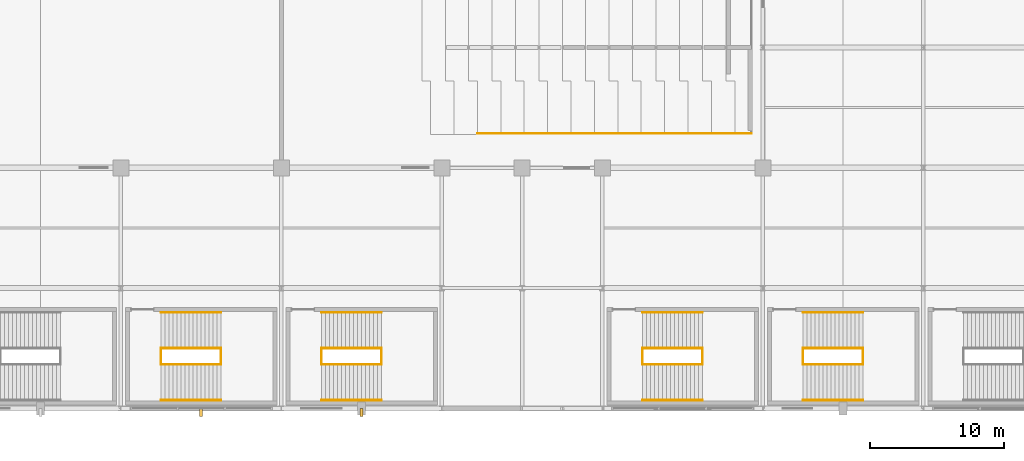
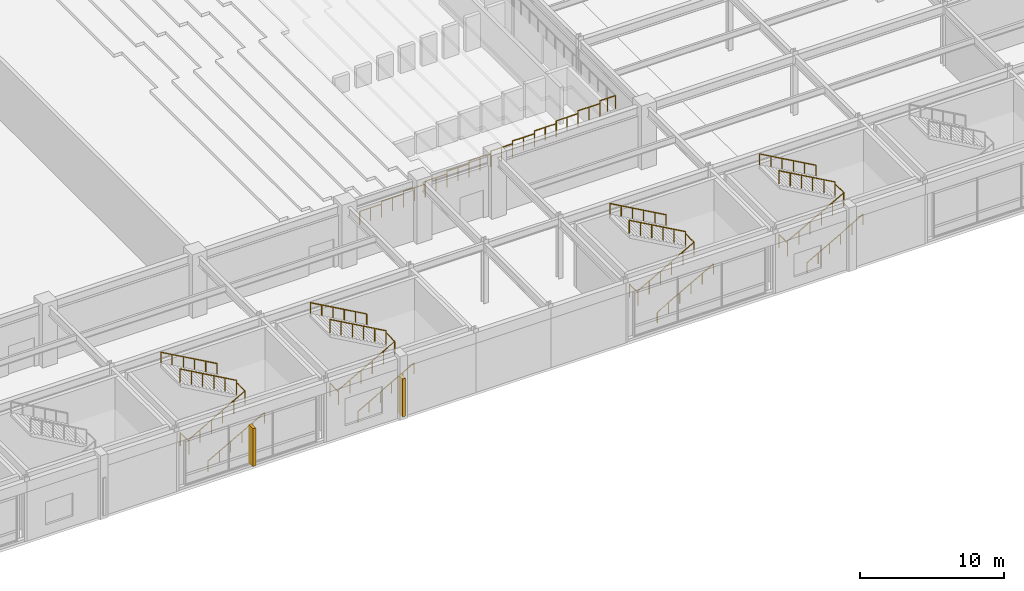
# One storey, part 93 of 100: 36 railings, 2 shading devices.
"""IFC4 building model written with IfcOpenShell, lengths in metres."""

from ifc_helpers import new_model, si_unit, direction, frame, origin, origin_2d, place, context, subcontext, project, spatial, rectangle, circle, extrude, material, type_object, element, save


model = new_model("IFC4")

# Units and contexts
model_context = context("Model", 3, precision=1e-05, world=origin(), true_north=direction((0.0, 1.0)))
body_context = subcontext(model_context, "Body", "Model", "MODEL_VIEW")
ifc_project = project(units=[si_unit("LENGTHUNIT", "METRE"), si_unit("AREAUNIT", "SQUARE_METRE"), si_unit("VOLUMEUNIT", "CUBIC_METRE"), si_unit("PLANEANGLEUNIT", "RADIAN"), si_unit("MASSUNIT", "GRAM", prefix="KILO")], contexts=[model_context])

# Site, building, storey
site_placement = place(None, origin())
site = spatial("IfcSite", under=ifc_project, at=site_placement, CompositionType="ELEMENT")
building_placement = place(site_placement, origin())
building = spatial("IfcBuilding", under=site, at=building_placement, Name="Kaldorvane Square Convention Centre", CompositionType="ELEMENT")
storey_placement = place(building_placement, frame((0.0, 0.0, 18.0)))
storey = spatial("IfcBuildingStorey", under=building, at=storey_placement, Name="L03", CompositionType="ELEMENT", Elevation=18.0)

# Railings
ifc_material_1 = material(Name="Architectural Painted Steel", Category="steel")
railing_type_1 = type_object("IfcRailingType", Name="RL-GUARD-1120", PredefinedType="BALUSTRADE", material=ifc_material_1)
for number, where, name in (
    (1, (68.99000549316406, 3.30999755859375, 0.0), "Convention Exit Stair C6 Floor Well Guard (L03)"),
    (2, (73.49000549316406, 3.30999755859375, 2.6999969482421875), "Convention Exit Stair C6 Half-Landing Guard (L03)"),
):
    element("IfcRailing", number, at=place(storey_placement, frame(where)), inside=storey, type_object=railing_type_1, Name=name, PredefinedType="BALUSTRADE", context=body_context, shape_type="SweptSolid", body=[
        extrude(circle(Radius=0.0240020751953125, at=origin_2d()), frame((0.0, 0.0, 1.0959930419921875), z_axis=(0.0, 1.0, 0.0), x_axis=(-1.0, 0.0, 0.0)), (0.0, 0.0, 1.0), 1.19000244140625),
        extrude(circle(Radius=0.02099609375, at=origin_2d()), origin(), (0.0, 0.0, 1.0), 1.071990966796875),
        extrude(circle(Radius=0.02099609375, at=origin_2d()), frame((0.0, 1.19000244140625, 0.0)), (0.0, 0.0, 1.0), 1.071990966796875),
    ])
railing_1_placement = place(storey_placement, frame((68.99000549316406, 3.3000030517578125, 0.1687469482421875)))
element("IfcRailing", 3, at=railing_1_placement, inside=storey, type_object=railing_type_1, Name="Convention Exit Stair C6 Flight 1 Guard (L03)", PredefinedType="BALUSTRADE", context=body_context, shape_type="SweptSolid", body=[
    extrude(circle(Radius=0.0240020751953125, at=origin_2d()), frame((0.0, 0.0, 1.0959930419921875), z_axis=(0.871575537125, 0.0, 0.490261239633), x_axis=(0.0, 1.0, 0.0)), (0.0, 0.0, 1.0), 5.1630706787109375),
    extrude(circle(Radius=0.02099609375, at=origin_2d()), origin(), (0.0, 0.0, 1.0), 1.071990966796875),
    extrude(circle(Radius=0.02099609375, at=origin_2d()), frame((0.899993896484375, 0.0, 0.506256103515625)), (0.0, 0.0, 1.0), 1.071990966796875),
    extrude(circle(Radius=0.02099609375, at=origin_2d()), frame((1.8000030517578125, 0.0, 1.0124969482421875)), (0.0, 0.0, 1.0), 1.071990966796875),
    extrude(circle(Radius=0.02099609375, at=origin_2d()), frame((2.6999969482421875, 0.0, 1.5187530517578125)), (0.0, 0.0, 1.0), 1.071990966796875),
    extrude(circle(Radius=0.02099609375, at=origin_2d()), frame((3.600006103515625, 0.0, 2.024993896484375)), (0.0, 0.0, 1.0), 1.071990966796875),
    extrude(circle(Radius=0.02099609375, at=origin_2d()), frame((4.5, 0.0, 2.53125)), (0.0, 0.0, 1.0), 1.071990966796875),
])
railing_2_placement = place(storey_placement, frame((73.49000549316406, 4.5099945068359375, 2.868743896484375)))
element("IfcRailing", 4, at=railing_2_placement, inside=storey, type_object=railing_type_1, Name="Convention Exit Stair C6 Flight 2 Guard (L03)", PredefinedType="BALUSTRADE", context=body_context, shape_type="SweptSolid", body=[
    extrude(circle(Radius=0.0240020751953125, at=origin_2d()), frame((0.0, 0.0, 1.0959930419921875), z_axis=(-0.871575537125, 0.0, 0.490261239633), x_axis=(0.0, -1.0, 0.0)), (0.0, 0.0, 1.0), 5.1630706787109375),
    extrude(circle(Radius=0.02099609375, at=origin_2d()), origin(), (0.0, 0.0, 1.0), 1.071990966796875),
    extrude(circle(Radius=0.02099609375, at=origin_2d()), frame((-0.899993896484375, 0.0, 0.506256103515625)), (0.0, 0.0, 1.0), 1.071990966796875),
    extrude(circle(Radius=0.02099609375, at=origin_2d()), frame((-1.8000030517578125, 0.0, 1.0124969482421875)), (0.0, 0.0, 1.0), 1.071990966796875),
    extrude(circle(Radius=0.02099609375, at=origin_2d()), frame((-2.6999969482421875, 0.0, 1.5187530517578125)), (0.0, 0.0, 1.0), 1.071990966796875),
    extrude(circle(Radius=0.02099609375, at=origin_2d()), frame((-3.600006103515625, 0.0, 2.024993896484375)), (0.0, 0.0, 1.0), 1.071990966796875),
    extrude(circle(Radius=0.02099609375, at=origin_2d()), frame((-4.5, 0.0, 2.53125)), (0.0, 0.0, 1.0), 1.071990966796875),
])
for number, where, name in (
    (5, (80.99000549316406, 3.30999755859375, 0.0), "Convention Exit Stair C7 Floor Well Guard (L03)"),
    (6, (85.49000549316406, 3.30999755859375, 2.6999969482421875), "Convention Exit Stair C7 Half-Landing Guard (L03)"),
):
    element("IfcRailing", number, at=place(storey_placement, frame(where)), inside=storey, type_object=railing_type_1, Name=name, PredefinedType="BALUSTRADE", context=body_context, shape_type="SweptSolid", body=[
        extrude(circle(Radius=0.0240020751953125, at=origin_2d()), frame((0.0, 0.0, 1.0959930419921875), z_axis=(0.0, 1.0, 0.0), x_axis=(-1.0, 0.0, 0.0)), (0.0, 0.0, 1.0), 1.19000244140625),
        extrude(circle(Radius=0.02099609375, at=origin_2d()), origin(), (0.0, 0.0, 1.0), 1.071990966796875),
        extrude(circle(Radius=0.02099609375, at=origin_2d()), frame((0.0, 1.19000244140625, 0.0)), (0.0, 0.0, 1.0), 1.071990966796875),
    ])
railing_3_placement = place(storey_placement, frame((80.99000549316406, 3.3000030517578125, 0.1687469482421875)))
element("IfcRailing", 7, at=railing_3_placement, inside=storey, type_object=railing_type_1, Name="Convention Exit Stair C7 Flight 1 Guard (L03)", PredefinedType="BALUSTRADE", context=body_context, shape_type="SweptSolid", body=[
    extrude(circle(Radius=0.0240020751953125, at=origin_2d()), frame((0.0, 0.0, 1.0959930419921875), z_axis=(0.871575537125, 0.0, 0.490261239633), x_axis=(0.0, 1.0, 0.0)), (0.0, 0.0, 1.0), 5.1630706787109375),
    extrude(circle(Radius=0.02099609375, at=origin_2d()), origin(), (0.0, 0.0, 1.0), 1.071990966796875),
    extrude(circle(Radius=0.02099609375, at=origin_2d()), frame((0.899993896484375, 0.0, 0.506256103515625)), (0.0, 0.0, 1.0), 1.071990966796875),
    extrude(circle(Radius=0.02099609375, at=origin_2d()), frame((1.8000030517578125, 0.0, 1.0124969482421875)), (0.0, 0.0, 1.0), 1.071990966796875),
    extrude(circle(Radius=0.02099609375, at=origin_2d()), frame((2.6999969482421875, 0.0, 1.5187530517578125)), (0.0, 0.0, 1.0), 1.071990966796875),
    extrude(circle(Radius=0.02099609375, at=origin_2d()), frame((3.600006103515625, 0.0, 2.024993896484375)), (0.0, 0.0, 1.0), 1.071990966796875),
    extrude(circle(Radius=0.02099609375, at=origin_2d()), frame((4.5, 0.0, 2.53125)), (0.0, 0.0, 1.0), 1.071990966796875),
])
railing_4_placement = place(storey_placement, frame((85.49000549316406, 4.5099945068359375, 2.868743896484375)))
element("IfcRailing", 8, at=railing_4_placement, inside=storey, type_object=railing_type_1, Name="Convention Exit Stair C7 Flight 2 Guard (L03)", PredefinedType="BALUSTRADE", context=body_context, shape_type="SweptSolid", body=[
    extrude(circle(Radius=0.0240020751953125, at=origin_2d()), frame((0.0, 0.0, 1.0959930419921875), z_axis=(-0.871575537125, 0.0, 0.490261239633), x_axis=(0.0, -1.0, 0.0)), (0.0, 0.0, 1.0), 5.1630706787109375),
    extrude(circle(Radius=0.02099609375, at=origin_2d()), origin(), (0.0, 0.0, 1.0), 1.071990966796875),
    extrude(circle(Radius=0.02099609375, at=origin_2d()), frame((-0.899993896484375, 0.0, 0.506256103515625)), (0.0, 0.0, 1.0), 1.071990966796875),
    extrude(circle(Radius=0.02099609375, at=origin_2d()), frame((-1.8000030517578125, 0.0, 1.0124969482421875)), (0.0, 0.0, 1.0), 1.071990966796875),
    extrude(circle(Radius=0.02099609375, at=origin_2d()), frame((-2.6999969482421875, 0.0, 1.5187530517578125)), (0.0, 0.0, 1.0), 1.071990966796875),
    extrude(circle(Radius=0.02099609375, at=origin_2d()), frame((-3.600006103515625, 0.0, 2.024993896484375)), (0.0, 0.0, 1.0), 1.071990966796875),
    extrude(circle(Radius=0.02099609375, at=origin_2d()), frame((-4.5, 0.0, 2.53125)), (0.0, 0.0, 1.0), 1.071990966796875),
])
for number, where, name in (
    (9, (104.99000549316406, 3.30999755859375, 0.0), "Convention Exit Stair C8 Floor Well Guard (L03)"),
    (10, (109.49000549316406, 3.30999755859375, 2.6999969482421875), "Convention Exit Stair C8 Half-Landing Guard (L03)"),
):
    element("IfcRailing", number, at=place(storey_placement, frame(where)), inside=storey, type_object=railing_type_1, Name=name, PredefinedType="BALUSTRADE", context=body_context, shape_type="SweptSolid", body=[
        extrude(circle(Radius=0.0240020751953125, at=origin_2d()), frame((0.0, 0.0, 1.0959930419921875), z_axis=(0.0, 1.0, 0.0), x_axis=(-1.0, 0.0, 0.0)), (0.0, 0.0, 1.0), 1.19000244140625),
        extrude(circle(Radius=0.02099609375, at=origin_2d()), origin(), (0.0, 0.0, 1.0), 1.071990966796875),
        extrude(circle(Radius=0.02099609375, at=origin_2d()), frame((0.0, 1.19000244140625, 0.0)), (0.0, 0.0, 1.0), 1.071990966796875),
    ])
railing_5_placement = place(storey_placement, frame((104.99000549316406, 3.3000030517578125, 0.1687469482421875)))
element("IfcRailing", 11, at=railing_5_placement, inside=storey, type_object=railing_type_1, Name="Convention Exit Stair C8 Flight 1 Guard (L03)", PredefinedType="BALUSTRADE", context=body_context, shape_type="SweptSolid", body=[
    extrude(circle(Radius=0.0240020751953125, at=origin_2d()), frame((0.0, 0.0, 1.0959930419921875), z_axis=(0.871575537125, 0.0, 0.490261239633), x_axis=(0.0, 1.0, 0.0)), (0.0, 0.0, 1.0), 5.1630706787109375),
    extrude(circle(Radius=0.02099609375, at=origin_2d()), origin(), (0.0, 0.0, 1.0), 1.071990966796875),
    extrude(circle(Radius=0.02099609375, at=origin_2d()), frame((0.899993896484375, 0.0, 0.506256103515625)), (0.0, 0.0, 1.0), 1.071990966796875),
    extrude(circle(Radius=0.02099609375, at=origin_2d()), frame((1.8000030517578125, 0.0, 1.0124969482421875)), (0.0, 0.0, 1.0), 1.071990966796875),
    extrude(circle(Radius=0.02099609375, at=origin_2d()), frame((2.6999969482421875, 0.0, 1.5187530517578125)), (0.0, 0.0, 1.0), 1.071990966796875),
    extrude(circle(Radius=0.02099609375, at=origin_2d()), frame((3.600006103515625, 0.0, 2.024993896484375)), (0.0, 0.0, 1.0), 1.071990966796875),
    extrude(circle(Radius=0.02099609375, at=origin_2d()), frame((4.5, 0.0, 2.53125)), (0.0, 0.0, 1.0), 1.071990966796875),
])
railing_6_placement = place(storey_placement, frame((109.49000549316406, 4.5099945068359375, 2.868743896484375)))
element("IfcRailing", 12, at=railing_6_placement, inside=storey, type_object=railing_type_1, Name="Convention Exit Stair C8 Flight 2 Guard (L03)", PredefinedType="BALUSTRADE", context=body_context, shape_type="SweptSolid", body=[
    extrude(circle(Radius=0.0240020751953125, at=origin_2d()), frame((0.0, 0.0, 1.0959930419921875), z_axis=(-0.871575537125, 0.0, 0.490261239633), x_axis=(0.0, -1.0, 0.0)), (0.0, 0.0, 1.0), 5.1630706787109375),
    extrude(circle(Radius=0.02099609375, at=origin_2d()), origin(), (0.0, 0.0, 1.0), 1.071990966796875),
    extrude(circle(Radius=0.02099609375, at=origin_2d()), frame((-0.899993896484375, 0.0, 0.506256103515625)), (0.0, 0.0, 1.0), 1.071990966796875),
    extrude(circle(Radius=0.02099609375, at=origin_2d()), frame((-1.8000030517578125, 0.0, 1.0124969482421875)), (0.0, 0.0, 1.0), 1.071990966796875),
    extrude(circle(Radius=0.02099609375, at=origin_2d()), frame((-2.6999969482421875, 0.0, 1.5187530517578125)), (0.0, 0.0, 1.0), 1.071990966796875),
    extrude(circle(Radius=0.02099609375, at=origin_2d()), frame((-3.600006103515625, 0.0, 2.024993896484375)), (0.0, 0.0, 1.0), 1.071990966796875),
    extrude(circle(Radius=0.02099609375, at=origin_2d()), frame((-4.5, 0.0, 2.53125)), (0.0, 0.0, 1.0), 1.071990966796875),
])
for number, where, name in (
    (13, (116.99000549316406, 3.30999755859375, 0.0), "Convention Exit Stair C9 Floor Well Guard (L03)"),
    (14, (121.49000549316406, 3.30999755859375, 2.6999969482421875), "Convention Exit Stair C9 Half-Landing Guard (L03)"),
):
    element("IfcRailing", number, at=place(storey_placement, frame(where)), inside=storey, type_object=railing_type_1, Name=name, PredefinedType="BALUSTRADE", context=body_context, shape_type="SweptSolid", body=[
        extrude(circle(Radius=0.0240020751953125, at=origin_2d()), frame((0.0, 0.0, 1.0959930419921875), z_axis=(0.0, 1.0, 0.0), x_axis=(-1.0, 0.0, 0.0)), (0.0, 0.0, 1.0), 1.19000244140625),
        extrude(circle(Radius=0.02099609375, at=origin_2d()), origin(), (0.0, 0.0, 1.0), 1.071990966796875),
        extrude(circle(Radius=0.02099609375, at=origin_2d()), frame((0.0, 1.19000244140625, 0.0)), (0.0, 0.0, 1.0), 1.071990966796875),
    ])
railing_7_placement = place(storey_placement, frame((116.99000549316406, 3.3000030517578125, 0.1687469482421875)))
element("IfcRailing", 15, at=railing_7_placement, inside=storey, type_object=railing_type_1, Name="Convention Exit Stair C9 Flight 1 Guard (L03)", PredefinedType="BALUSTRADE", context=body_context, shape_type="SweptSolid", body=[
    extrude(circle(Radius=0.0240020751953125, at=origin_2d()), frame((0.0, 0.0, 1.0959930419921875), z_axis=(0.871575537125, 0.0, 0.490261239633), x_axis=(0.0, 1.0, 0.0)), (0.0, 0.0, 1.0), 5.1630706787109375),
    extrude(circle(Radius=0.02099609375, at=origin_2d()), origin(), (0.0, 0.0, 1.0), 1.071990966796875),
    extrude(circle(Radius=0.02099609375, at=origin_2d()), frame((0.899993896484375, 0.0, 0.506256103515625)), (0.0, 0.0, 1.0), 1.071990966796875),
    extrude(circle(Radius=0.02099609375, at=origin_2d()), frame((1.8000030517578125, 0.0, 1.0124969482421875)), (0.0, 0.0, 1.0), 1.071990966796875),
    extrude(circle(Radius=0.02099609375, at=origin_2d()), frame((2.6999969482421875, 0.0, 1.5187530517578125)), (0.0, 0.0, 1.0), 1.071990966796875),
    extrude(circle(Radius=0.02099609375, at=origin_2d()), frame((3.600006103515625, 0.0, 2.024993896484375)), (0.0, 0.0, 1.0), 1.071990966796875),
    extrude(circle(Radius=0.02099609375, at=origin_2d()), frame((4.5, 0.0, 2.53125)), (0.0, 0.0, 1.0), 1.071990966796875),
])
railing_8_placement = place(storey_placement, frame((121.49000549316406, 4.5099945068359375, 2.868743896484375)))
element("IfcRailing", 16, at=railing_8_placement, inside=storey, type_object=railing_type_1, Name="Convention Exit Stair C9 Flight 2 Guard (L03)", PredefinedType="BALUSTRADE", context=body_context, shape_type="SweptSolid", body=[
    extrude(circle(Radius=0.0240020751953125, at=origin_2d()), frame((0.0, 0.0, 1.0959930419921875), z_axis=(-0.871575537125, 0.0, 0.490261239633), x_axis=(0.0, -1.0, 0.0)), (0.0, 0.0, 1.0), 5.1630706787109375),
    extrude(circle(Radius=0.02099609375, at=origin_2d()), origin(), (0.0, 0.0, 1.0), 1.071990966796875),
    extrude(circle(Radius=0.02099609375, at=origin_2d()), frame((-0.899993896484375, 0.0, 0.506256103515625)), (0.0, 0.0, 1.0), 1.071990966796875),
    extrude(circle(Radius=0.02099609375, at=origin_2d()), frame((-1.8000030517578125, 0.0, 1.0124969482421875)), (0.0, 0.0, 1.0), 1.071990966796875),
    extrude(circle(Radius=0.02099609375, at=origin_2d()), frame((-2.6999969482421875, 0.0, 1.5187530517578125)), (0.0, 0.0, 1.0), 1.071990966796875),
    extrude(circle(Radius=0.02099609375, at=origin_2d()), frame((-3.600006103515625, 0.0, 2.024993896484375)), (0.0, 0.0, 1.0), 1.071990966796875),
    extrude(circle(Radius=0.02099609375, at=origin_2d()), frame((-4.5, 0.0, 2.53125)), (0.0, 0.0, 1.0), 1.071990966796875),
])
for number, where, name in (
    (17, (92.64999389648438, 20.55999755859375, 0.7400054931640625), "Plenary Tier 03 South Aisle Guard"),
    (18, (94.39999389648438, 20.55999755859375, 0.9799957275390625), "Plenary Tier 04 South Aisle Guard"),
    (19, (96.14999389648438, 20.55999755859375, 1.220001220703125), "Plenary Tier 05 South Aisle Guard"),
    (20, (97.89999389648438, 20.55999755859375, 1.4600067138671875), "Plenary Tier 06 South Aisle Guard"),
    (21, (99.64999389648438, 20.55999755859375, 1.6999969482421875), "Plenary Tier 07 South Aisle Guard"),
    (22, (101.39999389648438, 20.55999755859375, 1.94000244140625), "Plenary Tier 08 South Aisle Guard"),
    (23, (103.14999389648438, 20.55999755859375, 2.17999267578125), "Plenary Tier 09 South Aisle Guard"),
    (24, (104.89999389648438, 20.55999755859375, 2.4199981689453125), "Plenary Tier 10 South Aisle Guard"),
    (25, (106.64999389648438, 20.55999755859375, 2.660003662109375), "Plenary Tier 11 South Aisle Guard"),
    (26, (108.39999389648438, 20.55999755859375, 2.899993896484375), "Plenary Tier 12 South Aisle Guard"),
    (27, (110.14999389648438, 20.55999755859375, 3.1399993896484375), "Plenary Tier 13 South Aisle Guard"),
):
    element("IfcRailing", number, at=place(storey_placement, frame(where)), inside=storey, type_object=railing_type_1, Name=name, PredefinedType="BALUSTRADE", context=body_context, shape_type="SweptSolid", body=[
        extrude(circle(Radius=0.0240020751953125, at=origin_2d()), frame((0.0, 0.0, 1.0959930419921875), z_axis=(1.0, 0.0, 0.0), x_axis=(0.0, 1.0, 0.0)), (0.0, 0.0, 1.0), 1.75),
        extrude(circle(Radius=0.02099609375, at=origin_2d()), origin(), (0.0, 0.0, 1.0), 1.071990966796875),
        extrude(circle(Radius=0.02099609375, at=origin_2d()), frame((0.875, 0.0, 0.0)), (0.0, 0.0, 1.0), 1.071990966796875),
        extrude(circle(Radius=0.02099609375, at=origin_2d()), frame((1.75, 0.0, 0.0)), (0.0, 0.0, 1.0), 1.071990966796875),
    ])
railing_9_placement = place(storey_placement, frame((111.89999389648438, 20.55999755859375, 3.3800048828125)))
element("IfcRailing", 28, at=railing_9_placement, inside=storey, type_object=railing_type_1, Name="Plenary Tier 14 South Aisle Guard", PredefinedType="BALUSTRADE", context=body_context, shape_type="SweptSolid", body=[
    extrude(circle(Radius=0.0240020751953125, at=origin_2d()), frame((0.0, 0.0, 1.0959930419921875), z_axis=(1.0, 0.0, 0.0), x_axis=(0.0, 1.0, 0.0)), (0.0, 0.0, 1.0), 1.2400054931640625),
    extrude(circle(Radius=0.02099609375, at=origin_2d()), origin(), (0.0, 0.0, 1.0), 1.071990966796875),
    extrude(circle(Radius=0.02099609375, at=origin_2d()), frame((0.6199951171875, 0.0, 0.0)), (0.0, 0.0, 1.0), 1.071990966796875),
    extrude(circle(Radius=0.02099609375, at=origin_2d()), frame((1.2400054931640625, 0.0, 0.0)), (0.0, 0.0, 1.0), 1.071990966796875),
])
railing_type_2 = type_object("IfcRailingType", Name="RL-HAND-915", PredefinedType="HANDRAIL", material=ifc_material_1)
railing_10_placement = place(storey_placement, frame((68.99000549316406, 0.6199951171875, 0.1687469482421875)))
element("IfcRailing", 29, at=railing_10_placement, inside=storey, type_object=railing_type_2, Name="Convention Exit Stair C6 Wall Handrail 1 (L03)", PredefinedType="HANDRAIL", context=body_context, shape_type="SweptSolid", body=[
    extrude(circle(Radius=0.0240020751953125, at=origin_2d()), frame((0.0, 0.0, 0.8909912109375), z_axis=(0.871575537125, 0.0, 0.490261239633), x_axis=(0.0, 1.0, 0.0)), (0.0, 0.0, 1.0), 5.1630706787109375),
    extrude(circle(Radius=0.02099609375, at=origin_2d()), origin(), (0.0, 0.0, 1.0), 0.8669891357421875),
    extrude(circle(Radius=0.02099609375, at=origin_2d()), frame((0.899993896484375, 0.0, 0.506256103515625)), (0.0, 0.0, 1.0), 0.8669891357421875),
    extrude(circle(Radius=0.02099609375, at=origin_2d()), frame((1.8000030517578125, 0.0, 1.0124969482421875)), (0.0, 0.0, 1.0), 0.8669891357421875),
    extrude(circle(Radius=0.02099609375, at=origin_2d()), frame((2.6999969482421875, 0.0, 1.5187530517578125)), (0.0, 0.0, 1.0), 0.8669891357421875),
    extrude(circle(Radius=0.02099609375, at=origin_2d()), frame((3.600006103515625, 0.0, 2.024993896484375)), (0.0, 0.0, 1.0), 0.8669891357421875),
    extrude(circle(Radius=0.02099609375, at=origin_2d()), frame((4.5, 0.0, 2.53125)), (0.0, 0.0, 1.0), 0.8669891357421875),
])
railing_11_placement = place(storey_placement, frame((73.49000549316406, 7.19000244140625, 2.868743896484375)))
element("IfcRailing", 30, at=railing_11_placement, inside=storey, type_object=railing_type_2, Name="Convention Exit Stair C6 Wall Handrail 2 (L03)", PredefinedType="HANDRAIL", context=body_context, shape_type="SweptSolid", body=[
    extrude(circle(Radius=0.0240020751953125, at=origin_2d()), frame((0.0, 0.0, 0.8909912109375), z_axis=(-0.871575537125, 0.0, 0.490261239633), x_axis=(0.0, -1.0, 0.0)), (0.0, 0.0, 1.0), 5.1630706787109375),
    extrude(circle(Radius=0.02099609375, at=origin_2d()), origin(), (0.0, 0.0, 1.0), 0.8669891357421875),
    extrude(circle(Radius=0.02099609375, at=origin_2d()), frame((-0.899993896484375, 0.0, 0.506256103515625)), (0.0, 0.0, 1.0), 0.8669891357421875),
    extrude(circle(Radius=0.02099609375, at=origin_2d()), frame((-1.8000030517578125, 0.0, 1.0124969482421875)), (0.0, 0.0, 1.0), 0.8669891357421875),
    extrude(circle(Radius=0.02099609375, at=origin_2d()), frame((-2.6999969482421875, 0.0, 1.5187530517578125)), (0.0, 0.0, 1.0), 0.8669891357421875),
    extrude(circle(Radius=0.02099609375, at=origin_2d()), frame((-3.600006103515625, 0.0, 2.024993896484375)), (0.0, 0.0, 1.0), 0.8669891357421875),
    extrude(circle(Radius=0.02099609375, at=origin_2d()), frame((-4.5, 0.0, 2.53125)), (0.0, 0.0, 1.0), 0.8669891357421875),
])
railing_12_placement = place(storey_placement, frame((80.99000549316406, 0.6199951171875, 0.1687469482421875)))
element("IfcRailing", 31, at=railing_12_placement, inside=storey, type_object=railing_type_2, Name="Convention Exit Stair C7 Wall Handrail 1 (L03)", PredefinedType="HANDRAIL", context=body_context, shape_type="SweptSolid", body=[
    extrude(circle(Radius=0.0240020751953125, at=origin_2d()), frame((0.0, 0.0, 0.8909912109375), z_axis=(0.871575537125, 0.0, 0.490261239633), x_axis=(0.0, 1.0, 0.0)), (0.0, 0.0, 1.0), 5.1630706787109375),
    extrude(circle(Radius=0.02099609375, at=origin_2d()), origin(), (0.0, 0.0, 1.0), 0.8669891357421875),
    extrude(circle(Radius=0.02099609375, at=origin_2d()), frame((0.899993896484375, 0.0, 0.506256103515625)), (0.0, 0.0, 1.0), 0.8669891357421875),
    extrude(circle(Radius=0.02099609375, at=origin_2d()), frame((1.8000030517578125, 0.0, 1.0124969482421875)), (0.0, 0.0, 1.0), 0.8669891357421875),
    extrude(circle(Radius=0.02099609375, at=origin_2d()), frame((2.6999969482421875, 0.0, 1.5187530517578125)), (0.0, 0.0, 1.0), 0.8669891357421875),
    extrude(circle(Radius=0.02099609375, at=origin_2d()), frame((3.600006103515625, 0.0, 2.024993896484375)), (0.0, 0.0, 1.0), 0.8669891357421875),
    extrude(circle(Radius=0.02099609375, at=origin_2d()), frame((4.5, 0.0, 2.53125)), (0.0, 0.0, 1.0), 0.8669891357421875),
])
railing_13_placement = place(storey_placement, frame((85.49000549316406, 7.19000244140625, 2.868743896484375)))
element("IfcRailing", 32, at=railing_13_placement, inside=storey, type_object=railing_type_2, Name="Convention Exit Stair C7 Wall Handrail 2 (L03)", PredefinedType="HANDRAIL", context=body_context, shape_type="SweptSolid", body=[
    extrude(circle(Radius=0.0240020751953125, at=origin_2d()), frame((0.0, 0.0, 0.8909912109375), z_axis=(-0.871575537125, 0.0, 0.490261239633), x_axis=(0.0, -1.0, 0.0)), (0.0, 0.0, 1.0), 5.1630706787109375),
    extrude(circle(Radius=0.02099609375, at=origin_2d()), origin(), (0.0, 0.0, 1.0), 0.8669891357421875),
    extrude(circle(Radius=0.02099609375, at=origin_2d()), frame((-0.899993896484375, 0.0, 0.506256103515625)), (0.0, 0.0, 1.0), 0.8669891357421875),
    extrude(circle(Radius=0.02099609375, at=origin_2d()), frame((-1.8000030517578125, 0.0, 1.0124969482421875)), (0.0, 0.0, 1.0), 0.8669891357421875),
    extrude(circle(Radius=0.02099609375, at=origin_2d()), frame((-2.6999969482421875, 0.0, 1.5187530517578125)), (0.0, 0.0, 1.0), 0.8669891357421875),
    extrude(circle(Radius=0.02099609375, at=origin_2d()), frame((-3.600006103515625, 0.0, 2.024993896484375)), (0.0, 0.0, 1.0), 0.8669891357421875),
    extrude(circle(Radius=0.02099609375, at=origin_2d()), frame((-4.5, 0.0, 2.53125)), (0.0, 0.0, 1.0), 0.8669891357421875),
])
railing_14_placement = place(storey_placement, frame((104.99000549316406, 0.6199951171875, 0.1687469482421875)))
element("IfcRailing", 33, at=railing_14_placement, inside=storey, type_object=railing_type_2, Name="Convention Exit Stair C8 Wall Handrail 1 (L03)", PredefinedType="HANDRAIL", context=body_context, shape_type="SweptSolid", body=[
    extrude(circle(Radius=0.0240020751953125, at=origin_2d()), frame((0.0, 0.0, 0.8909912109375), z_axis=(0.871575537125, 0.0, 0.490261239633), x_axis=(0.0, 1.0, 0.0)), (0.0, 0.0, 1.0), 5.1630706787109375),
    extrude(circle(Radius=0.02099609375, at=origin_2d()), origin(), (0.0, 0.0, 1.0), 0.8669891357421875),
    extrude(circle(Radius=0.02099609375, at=origin_2d()), frame((0.899993896484375, 0.0, 0.506256103515625)), (0.0, 0.0, 1.0), 0.8669891357421875),
    extrude(circle(Radius=0.02099609375, at=origin_2d()), frame((1.8000030517578125, 0.0, 1.0124969482421875)), (0.0, 0.0, 1.0), 0.8669891357421875),
    extrude(circle(Radius=0.02099609375, at=origin_2d()), frame((2.6999969482421875, 0.0, 1.5187530517578125)), (0.0, 0.0, 1.0), 0.8669891357421875),
    extrude(circle(Radius=0.02099609375, at=origin_2d()), frame((3.600006103515625, 0.0, 2.024993896484375)), (0.0, 0.0, 1.0), 0.8669891357421875),
    extrude(circle(Radius=0.02099609375, at=origin_2d()), frame((4.5, 0.0, 2.53125)), (0.0, 0.0, 1.0), 0.8669891357421875),
])
railing_15_placement = place(storey_placement, frame((109.49000549316406, 7.19000244140625, 2.868743896484375)))
element("IfcRailing", 34, at=railing_15_placement, inside=storey, type_object=railing_type_2, Name="Convention Exit Stair C8 Wall Handrail 2 (L03)", PredefinedType="HANDRAIL", context=body_context, shape_type="SweptSolid", body=[
    extrude(circle(Radius=0.0240020751953125, at=origin_2d()), frame((0.0, 0.0, 0.8909912109375), z_axis=(-0.871575537125, 0.0, 0.490261239633), x_axis=(0.0, -1.0, 0.0)), (0.0, 0.0, 1.0), 5.1630706787109375),
    extrude(circle(Radius=0.02099609375, at=origin_2d()), origin(), (0.0, 0.0, 1.0), 0.8669891357421875),
    extrude(circle(Radius=0.02099609375, at=origin_2d()), frame((-0.899993896484375, 0.0, 0.506256103515625)), (0.0, 0.0, 1.0), 0.8669891357421875),
    extrude(circle(Radius=0.02099609375, at=origin_2d()), frame((-1.8000030517578125, 0.0, 1.0124969482421875)), (0.0, 0.0, 1.0), 0.8669891357421875),
    extrude(circle(Radius=0.02099609375, at=origin_2d()), frame((-2.6999969482421875, 0.0, 1.5187530517578125)), (0.0, 0.0, 1.0), 0.8669891357421875),
    extrude(circle(Radius=0.02099609375, at=origin_2d()), frame((-3.600006103515625, 0.0, 2.024993896484375)), (0.0, 0.0, 1.0), 0.8669891357421875),
    extrude(circle(Radius=0.02099609375, at=origin_2d()), frame((-4.5, 0.0, 2.53125)), (0.0, 0.0, 1.0), 0.8669891357421875),
])
railing_16_placement = place(storey_placement, frame((116.99000549316406, 0.6199951171875, 0.1687469482421875)))
element("IfcRailing", 35, at=railing_16_placement, inside=storey, type_object=railing_type_2, Name="Convention Exit Stair C9 Wall Handrail 1 (L03)", PredefinedType="HANDRAIL", context=body_context, shape_type="SweptSolid", body=[
    extrude(circle(Radius=0.0240020751953125, at=origin_2d()), frame((0.0, 0.0, 0.8909912109375), z_axis=(0.871575537125, 0.0, 0.490261239633), x_axis=(0.0, 1.0, 0.0)), (0.0, 0.0, 1.0), 5.1630706787109375),
    extrude(circle(Radius=0.02099609375, at=origin_2d()), origin(), (0.0, 0.0, 1.0), 0.8669891357421875),
    extrude(circle(Radius=0.02099609375, at=origin_2d()), frame((0.899993896484375, 0.0, 0.506256103515625)), (0.0, 0.0, 1.0), 0.8669891357421875),
    extrude(circle(Radius=0.02099609375, at=origin_2d()), frame((1.8000030517578125, 0.0, 1.0124969482421875)), (0.0, 0.0, 1.0), 0.8669891357421875),
    extrude(circle(Radius=0.02099609375, at=origin_2d()), frame((2.6999969482421875, 0.0, 1.5187530517578125)), (0.0, 0.0, 1.0), 0.8669891357421875),
    extrude(circle(Radius=0.02099609375, at=origin_2d()), frame((3.600006103515625, 0.0, 2.024993896484375)), (0.0, 0.0, 1.0), 0.8669891357421875),
    extrude(circle(Radius=0.02099609375, at=origin_2d()), frame((4.5, 0.0, 2.53125)), (0.0, 0.0, 1.0), 0.8669891357421875),
])
railing_17_placement = place(storey_placement, frame((121.49000549316406, 7.19000244140625, 2.868743896484375)))
element("IfcRailing", 36, at=railing_17_placement, inside=storey, type_object=railing_type_2, Name="Convention Exit Stair C9 Wall Handrail 2 (L03)", PredefinedType="HANDRAIL", context=body_context, shape_type="SweptSolid", body=[
    extrude(circle(Radius=0.0240020751953125, at=origin_2d()), frame((0.0, 0.0, 0.8909912109375), z_axis=(-0.871575537125, 0.0, 0.490261239633), x_axis=(0.0, -1.0, 0.0)), (0.0, 0.0, 1.0), 5.1630706787109375),
    extrude(circle(Radius=0.02099609375, at=origin_2d()), origin(), (0.0, 0.0, 1.0), 0.8669891357421875),
    extrude(circle(Radius=0.02099609375, at=origin_2d()), frame((-0.899993896484375, 0.0, 0.506256103515625)), (0.0, 0.0, 1.0), 0.8669891357421875),
    extrude(circle(Radius=0.02099609375, at=origin_2d()), frame((-1.8000030517578125, 0.0, 1.0124969482421875)), (0.0, 0.0, 1.0), 0.8669891357421875),
    extrude(circle(Radius=0.02099609375, at=origin_2d()), frame((-2.6999969482421875, 0.0, 1.5187530517578125)), (0.0, 0.0, 1.0), 0.8669891357421875),
    extrude(circle(Radius=0.02099609375, at=origin_2d()), frame((-3.600006103515625, 0.0, 2.024993896484375)), (0.0, 0.0, 1.0), 0.8669891357421875),
    extrude(circle(Radius=0.02099609375, at=origin_2d()), frame((-4.5, 0.0, 2.53125)), (0.0, 0.0, 1.0), 0.8669891357421875),
])

# Shading devices
ifc_material_2 = material(Name="Concrete f'c = 42 MPa (Normalweight) Precast", Category="concrete")
shading_device_type = type_object("IfcShadingDeviceType", Name="SD-FIN-600", PredefinedType="SHUTTER", material=ifc_material_2)
for number, where, z_axis, x_axis, name in (
    (37, (72.0, -0.279998779296875, 0.29998779296875), (0.0, 0.0, 1.0), (1.0, 0.0, 0.0), "Brutalist Precast Solar Fin (L03)"),
    (38, (84.0, -0.279998779296875, 0.29998779296875), (0.0, 0.0, 1.0), (1.0, 0.0, 0.0), "Brutalist Precast Solar Fin (L03)"),
):
    element("IfcShadingDevice", number, at=place(storey_placement, frame(where, z_axis=z_axis, x_axis=x_axis)), inside=storey, type_object=shading_device_type, Name=name, PredefinedType="SHUTTER", context=body_context, shape_type="SweptSolid", body=[
        extrude(rectangle(XDim=0.220001220703125, YDim=0.600006103515625, at=origin_2d()), origin(), (0.0, 0.0, 1.0), 3.1999969482421875),
    ])

save(model, "model.ifc")
